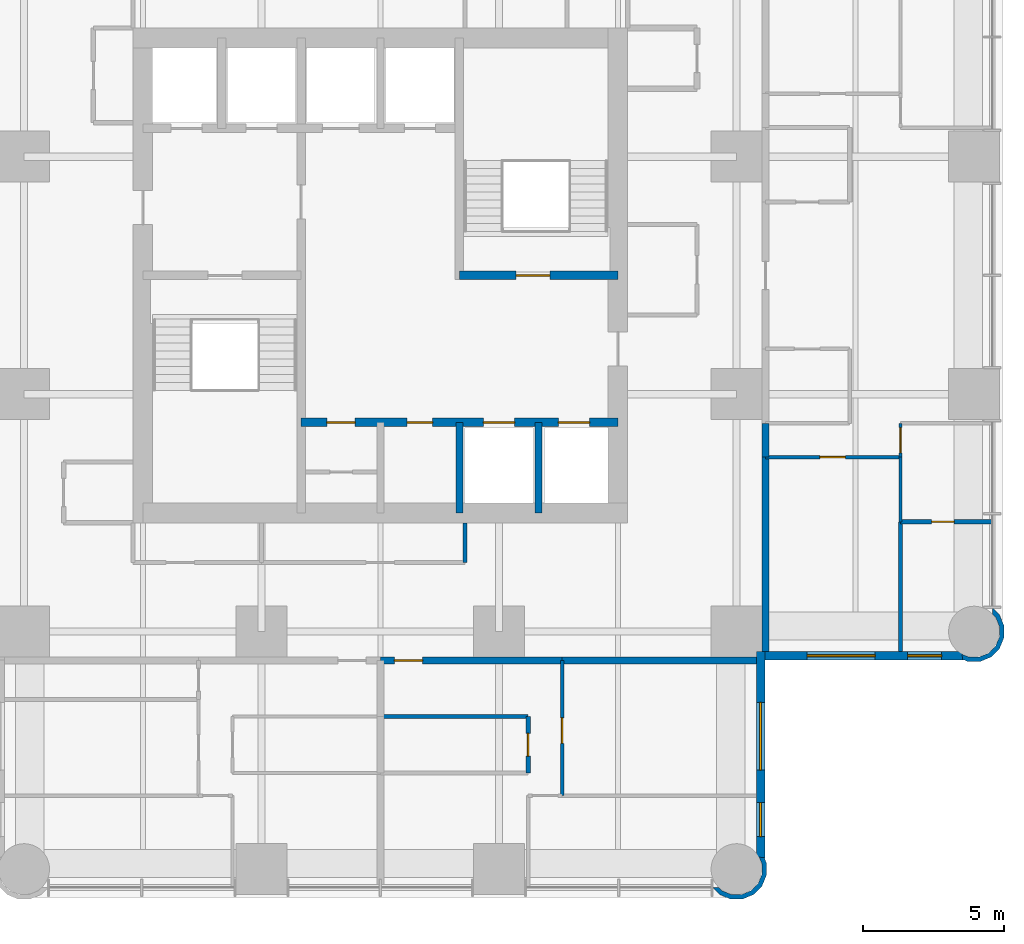
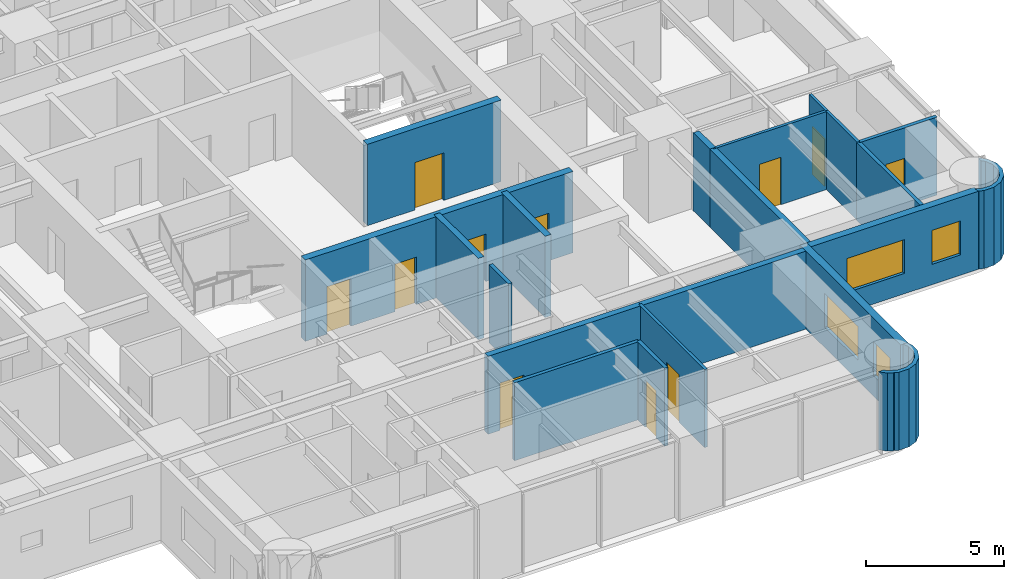
# One storey, part 7 of 11: 21 walls, 11 doors, 4 windows, 15 openings.
"""IFC4 building model written with IfcOpenShell, lengths in metres."""

from ifc_helpers import new_model, si_unit, direction, frame, frame_2d, origin, place, context, subcontext, project, spatial, polyline, rectangle, outline, extrude, material, layer, layer_set, type_object, element, fill, save


model = new_model("IFC4")

# Units and contexts
model_context = context("Model", 3, precision=1e-05, world=origin(), true_north=direction((0.0, 1.0)))
body_context = subcontext(model_context, "Body", "Model", "MODEL_VIEW")
ifc_project = project(units=[si_unit("LENGTHUNIT", "METRE"), si_unit("AREAUNIT", "SQUARE_METRE"), si_unit("VOLUMEUNIT", "CUBIC_METRE"), si_unit("PLANEANGLEUNIT", "RADIAN"), si_unit("MASSUNIT", "GRAM", prefix="KILO")], contexts=[model_context])

# Site, building, storey
site_placement = place(None, origin())
site = spatial("IfcSite", under=ifc_project, at=site_placement, CompositionType="ELEMENT")
building_placement = place(site_placement, origin())
building = spatial("IfcBuilding", under=site, at=building_placement, Name="Torre Alcanfor", CompositionType="ELEMENT")
storey_placement = place(building_placement, frame((0.0, 0.0, 186.89990234375)))
storey = spatial("IfcBuildingStorey", under=building, at=storey_placement, Name="L48", CompositionType="ELEMENT", Elevation=186.89990234375)

# Walls
ifc_material_1 = material(Name="Concrete block masonry, hollow blocks NMX-C-404 9 MPa", Category="masonry")
ifc_layer_1 = layer(ifc_material_1, 0.25)
ifc_layer_set_1 = layer_set([ifc_layer_1], Name="Apartment entrance wall 250 EI 60")
wall_type_1 = type_object("IfcWallType", Name="Apartment entrance wall 250 EI 60", PredefinedType="PARTITIONING", material=ifc_layer_set_1)
wall_1_placement = place(storey_placement, frame((43.02490234375, 24.1708984375, 0.0), z_axis=(0.0, 0.0, 1.0), x_axis=(0.0, -1.0, 0.0)))
element("IfcWall", 1, at=wall_1_placement, inside=storey, type_object=wall_type_1, Name="Partition L48-CORR / L48-EX-LIVING", PredefinedType="PARTITIONING", context=body_context, shape_type="SweptSolid", body=[
    extrude(rectangle(XDim=1.199951171875, YDim=0.25, at=frame_2d((0.60009765625, 0.0))), origin(), (0.0, 0.0, 1.0), 3.4501953125),
])
wall_2_placement = place(storey_placement, frame((43.02490234375, 22.970947265625, 0.0), z_axis=(0.0, 0.0, 1.0), x_axis=(0.0, -1.0, 0.0)))
element("IfcWall", 2, at=wall_2_placement, inside=storey, type_object=wall_type_1, Name="Partition L48-CORR / L48-EX-BED3", PredefinedType="PARTITIONING", context=body_context, shape_type="SweptSolid", body=[
    extrude(rectangle(XDim=6.870849609375, YDim=0.25, at=frame_2d((3.435546875, 0.0))), origin(), (0.0, 0.0, 1.0), 3.4501953125),
])

# Wall, opening, door
wall_3_placement = place(storey_placement, frame((35.8291015625, 15.77490234375, 0.0), z_axis=(0.0, 0.0, 1.0), x_axis=(-1.0, 0.0, 0.0)))
wall_3 = element("IfcWall", 3, at=wall_3_placement, inside=storey, type_object=wall_type_1, Name="Partition L48-CORR / L48-S1-LIVING", PredefinedType="PARTITIONING", context=body_context, shape_type="SweptSolid", body=[
    extrude(rectangle(XDim=6.42919921875, YDim=0.25, at=frame_2d((3.214599609375, 0.0))), origin(), (0.0, 0.0, 1.0), 3.4501953125),
])
opening_1_placement = place(wall_3_placement, frame((4.928955078125, 0.0, 0.0)))
opening_1 = element("IfcOpeningElement", 4, at=opening_1_placement, cuts=wall_3, Name="Opening D-A1", PredefinedType="OPENING", context=body_context, shape_type="SweptSolid", body=[
    extrude(rectangle(XDim=1.0, YDim=2.10009765625, at=frame_2d((0.5, 1.050048828125))), frame((0.0, 0.135009765625, 0.0), z_axis=(0.0, -1.0, 0.0), x_axis=(1.0, 0.0, 0.0)), (0.0, 0.0, 1.0), 0.27001953125),
])
ifc_material_2 = material(Name="Galvanised steel sheet ASTM A653", Category="steel")
door_type_1 = type_object("IfcDoorType", Name="Apartment entrance door FD60 1000x2100", OperationType="SINGLE_SWING_LEFT", PredefinedType="DOOR", material=ifc_material_2)
door_1_placement = place(opening_1_placement, origin())
door_1 = element("IfcDoor", 5, at=door_1_placement, inside=storey, type_object=door_type_1, Name="Apartment entrance L48-S1", OperationType="SINGLE_SWING_RIGHT", OverallHeight=2.10009765625, OverallWidth=1.0, PredefinedType="DOOR", context=body_context, shape_type="SweptSolid", body=[
    extrude(rectangle(XDim=1.0, YDim=2.10009765625, at=frame_2d((0.5, 1.050048828125))), frame((0.0, 0.02490234375, 0.0), z_axis=(0.0, -1.0, 0.0), x_axis=(1.0, 0.0, 0.0)), (0.0, 0.0, 1.0), 0.050048828125),
])
fill(opening_1, door_1)

# Wall
wall_4_placement = place(storey_placement, frame((42.699951171875, 15.77490234375, 0.0), z_axis=(0.0, 0.0, 1.0), x_axis=(-1.0, 0.0, 0.0)))
element("IfcWall", 6, at=wall_4_placement, inside=storey, type_object=wall_type_1, Name="Partition L48-CORR / L48-S1-BED2", PredefinedType="PARTITIONING", context=body_context, shape_type="SweptSolid", body=[
    extrude(rectangle(XDim=6.870849609375, YDim=0.25, at=frame_2d((3.435546875, 0.0))), origin(), (0.0, 0.0, 1.0), 3.4501953125),
])

# Wall, opening, door
ifc_material_3 = material(Name="Gypsum board on steel studs", Category="steel")
ifc_layer_2 = layer(ifc_material_3, 0.1201171875)
ifc_layer_set_2 = layer_set([ifc_layer_2], Name="Apartment partition 120")
wall_type_2 = type_object("IfcWallType", Name="Apartment partition 120", PredefinedType="PARTITIONING", material=ifc_layer_set_2)
wall_5_placement = place(storey_placement, frame((47.800048828125, 22.970947265625, 0.0), z_axis=(0.0, 0.0, 1.0), x_axis=(-1.0, 0.0, 0.0)))
wall_5 = element("IfcWall", 7, at=wall_5_placement, inside=storey, type_object=wall_type_2, Name="Partition L48-EX-LIVING / L48-EX-BED3", PredefinedType="PARTITIONING", context=body_context, shape_type="SweptSolid", body=[
    extrude(rectangle(XDim=4.775146484375, YDim=0.1201171875, at=frame_2d((2.3876953125, 0.0))), origin(), (0.0, 0.0, 1.0), 3.4501953125),
])
opening_2_placement = place(wall_5_placement, frame((1.949951171875, 0.0, 0.0)))
opening_2 = element("IfcOpeningElement", 8, at=opening_2_placement, cuts=wall_5, Name="Opening D-R1", PredefinedType="OPENING", context=body_context, shape_type="SweptSolid", body=[
    extrude(rectangle(XDim=0.89990234375, YDim=2.10009765625, at=frame_2d((0.449951171875, 1.050048828125))), frame((0.0, 0.070068359375, 0.0), z_axis=(0.0, -1.0, 0.0), x_axis=(1.0, 0.0, 0.0)), (0.0, 0.0, 1.0), 0.14013671875),
])
ifc_material_4 = material(Name="Timber", Category="wood")
door_type_2 = type_object("IfcDoorType", Name="Internal door 900x2100", OperationType="SINGLE_SWING_LEFT", PredefinedType="DOOR", material=ifc_material_4)
door_2_placement = place(opening_2_placement, origin())
door_2 = element("IfcDoor", 9, at=door_2_placement, inside=storey, type_object=door_type_2, Name="Door L48-EX bed3", OperationType="SINGLE_SWING_RIGHT", OverallHeight=2.10009765625, OverallWidth=0.89990234375, PredefinedType="DOOR", context=body_context, shape_type="SweptSolid", body=[
    extrude(rectangle(XDim=0.89990234375, YDim=2.10009765625, at=frame_2d((0.449951171875, 1.050048828125))), frame((0.0, 0.02490234375, 0.0), z_axis=(0.0, -1.0, 0.0), x_axis=(1.0, 0.0, 0.0)), (0.0, 0.0, 1.0), 0.050048828125),
])
fill(opening_2, door_2)

wall_6_placement = place(storey_placement, frame((47.800048828125, 24.1708984375, 0.0), z_axis=(0.0, 0.0, 1.0), x_axis=(0.0, -1.0, 0.0)))
wall_6 = element("IfcWall", 10, at=wall_6_placement, inside=storey, type_object=wall_type_2, Name="Partition L48-EX-LIVING / L48-EX-BED1", PredefinedType="PARTITIONING", context=body_context, shape_type="SweptSolid", body=[
    extrude(rectangle(XDim=1.199951171875, YDim=0.1201171875, at=frame_2d((0.60009765625, 0.0))), origin(), (0.0, 0.0, 1.0), 3.4501953125),
])
opening_3_placement = place(wall_6_placement, frame((0.15087890625, 0.0, 0.0)))
opening_3 = element("IfcOpeningElement", 11, at=opening_3_placement, cuts=wall_6, Name="Opening D-R1", PredefinedType="OPENING", context=body_context, shape_type="SweptSolid", body=[
    extrude(rectangle(XDim=0.89990234375, YDim=2.10009765625, at=frame_2d((0.449951171875, 1.050048828125))), frame((0.0, 0.070068359375, 0.0), z_axis=(0.0, -1.0, 0.0), x_axis=(1.0, 0.0, 0.0)), (0.0, 0.0, 1.0), 0.14013671875),
])
door_3_placement = place(opening_3_placement, origin())
door_3 = element("IfcDoor", 12, at=door_3_placement, inside=storey, type_object=door_type_2, Name="Door L48-EX bed1", OperationType="SINGLE_SWING_LEFT", OverallHeight=2.10009765625, OverallWidth=0.89990234375, PredefinedType="DOOR", context=body_context, shape_type="SweptSolid", body=[
    extrude(rectangle(XDim=0.89990234375, YDim=2.10009765625, at=frame_2d((0.449951171875, 1.050048828125))), frame((0.0, 0.02490234375, 0.0), z_axis=(0.0, -1.0, 0.0), x_axis=(1.0, 0.0, 0.0)), (0.0, 0.0, 1.0), 0.050048828125),
])
fill(opening_3, door_3)

# Wall
wall_7_placement = place(storey_placement, frame((47.800048828125, 20.68603515625, 0.0), z_axis=(0.0, 0.0, 1.0), x_axis=(0.0, 1.0, 0.0)))
element("IfcWall", 13, at=wall_7_placement, inside=storey, type_object=wall_type_2, Name="Partition L48-EX-BED3 / L48-EX-BED1", PredefinedType="PARTITIONING", context=body_context, shape_type="SweptSolid", body=[
    extrude(rectangle(XDim=2.284912109375, YDim=0.1201171875, at=frame_2d((1.142578125, 0.0))), origin(), (0.0, 0.0, 1.0), 3.4501953125),
])

# Wall, opening, door
wall_8_placement = place(storey_placement, frame((35.8291015625, 15.77490234375, 0.0), z_axis=(0.0, 0.0, 1.0), x_axis=(0.0, -1.0, 0.0)))
wall_8 = element("IfcWall", 14, at=wall_8_placement, inside=storey, type_object=wall_type_2, Name="Partition L48-S1-LIVING / L48-S1-BED2", PredefinedType="PARTITIONING", context=body_context, shape_type="SweptSolid", body=[
    extrude(rectangle(XDim=4.77490234375, YDim=0.1201171875, at=frame_2d((2.387451171875, 0.0))), origin(), (0.0, 0.0, 1.0), 3.4501953125),
])
opening_4_placement = place(wall_8_placement, frame((2.02490234375, 0.0, 0.0)))
opening_4 = element("IfcOpeningElement", 15, at=opening_4_placement, cuts=wall_8, Name="Opening D-R1", PredefinedType="OPENING", context=body_context, shape_type="SweptSolid", body=[
    extrude(rectangle(XDim=0.89990234375, YDim=2.10009765625, at=frame_2d((0.449951171875, 1.050048828125))), frame((0.0, 0.070068359375, 0.0), z_axis=(0.0, -1.0, 0.0), x_axis=(1.0, 0.0, 0.0)), (0.0, 0.0, 1.0), 0.14013671875),
])
door_4_placement = place(opening_4_placement, origin())
door_4 = element("IfcDoor", 16, at=door_4_placement, inside=storey, type_object=door_type_2, Name="Door L48-S1 bed2", OperationType="SINGLE_SWING_RIGHT", OverallHeight=2.10009765625, OverallWidth=0.89990234375, PredefinedType="DOOR", context=body_context, shape_type="SweptSolid", body=[
    extrude(rectangle(XDim=0.89990234375, YDim=2.10009765625, at=frame_2d((0.449951171875, 1.050048828125))), frame((0.0, 0.02490234375, 0.0), z_axis=(0.0, -1.0, 0.0), x_axis=(1.0, 0.0, 0.0)), (0.0, 0.0, 1.0), 0.050048828125),
])
fill(opening_4, door_4)

# Wall, openings, doors
ifc_material_5 = material(Name="Concrete f'c 70 MPa", Category="concrete")
ifc_layer_3 = layer(ifc_material_5, 0.300048828125)
ifc_layer_set_3 = layer_set([ifc_layer_3], Name="Core inner wall 300 f'c70")
wall_type_3 = type_object("IfcWallType", Name="Core inner wall 300 f'c70", PredefinedType="SHEAR", material=ifc_layer_set_3)
wall_9_placement = place(storey_placement, frame((26.60009765625, 24.199951171875, 0.0), z_axis=(0.0, 0.0, 1.0), x_axis=(1.0, 0.0, 0.0)))
wall_9 = element("IfcWall", 17, at=wall_9_placement, inside=storey, type_object=wall_type_3, Name="Core wall Y242 L48", PredefinedType="SHEAR", context=body_context, shape_type="SweptSolid", body=[
    extrude(rectangle(XDim=11.199951171875, YDim=0.300048828125, at=frame_2d((5.60009765625, 0.0))), origin(), (0.0, 0.0, 1.0), 3.60009765625),
])
opening_5_placement = place(wall_9_placement, frame((0.91259765625, 0.0, 0.0)))
opening_5 = element("IfcOpeningElement", 18, at=opening_5_placement, cuts=wall_9, Name="Opening D-K1", PredefinedType="OPENING", context=body_context, shape_type="SweptSolid", body=[
    extrude(rectangle(XDim=1.0, YDim=2.10009765625, at=frame_2d((0.5, 1.050048828125))), frame((0.0, 0.159912109375, 0.0), z_axis=(0.0, -1.0, 0.0), x_axis=(1.0, 0.0, 0.0)), (0.0, 0.0, 1.0), 0.320068359375),
])
opening_6_placement = place(wall_9_placement, frame((3.75, 0.0, 0.0)))
opening_6 = element("IfcOpeningElement", 19, at=opening_6_placement, cuts=wall_9, Name="Opening D-Q1", PredefinedType="OPENING", context=body_context, shape_type="SweptSolid", body=[
    extrude(rectangle(XDim=0.89990234375, YDim=2.10009765625, at=frame_2d((0.449951171875, 1.050048828125))), frame((0.0, 0.159912109375, 0.0), z_axis=(0.0, -1.0, 0.0), x_axis=(1.0, 0.0, 0.0)), (0.0, 0.0, 1.0), 0.320068359375),
])
opening_7_placement = place(wall_9_placement, frame((6.449951171875, 0.0, 0.0)))
opening_7 = element("IfcOpeningElement", 20, at=opening_7_placement, cuts=wall_9, Name="Opening LD1", PredefinedType="OPENING", context=body_context, shape_type="SweptSolid", body=[
    extrude(rectangle(XDim=1.10009765625, YDim=2.10009765625, at=frame_2d((0.550048828125, 1.050048828125))), frame((0.0, 0.159912109375, 0.0), z_axis=(0.0, -1.0, 0.0), x_axis=(1.0, 0.0, 0.0)), (0.0, 0.0, 1.0), 0.320068359375),
])
opening_8_placement = place(wall_9_placement, frame((9.10009765625, 0.0, 0.0)))
opening_8 = element("IfcOpeningElement", 21, at=opening_8_placement, cuts=wall_9, Name="Opening LD1", PredefinedType="OPENING", context=body_context, shape_type="SweptSolid", body=[
    extrude(rectangle(XDim=1.10009765625, YDim=2.10009765625, at=frame_2d((0.550048828125, 1.050048828125))), frame((0.0, 0.159912109375, 0.0), z_axis=(0.0, -1.0, 0.0), x_axis=(1.0, 0.0, 0.0)), (0.0, 0.0, 1.0), 0.320068359375),
])
ifc_material_6 = material(Name="Galvanised steel sheet ASTM A653", Category="steel")
door_type_3 = type_object("IfcDoorType", Name="Core room door FD60 1000x2100", OperationType="SINGLE_SWING_LEFT", PredefinedType="DOOR", material=ifc_material_6)
door_5_placement = place(opening_5_placement, frame((1.0, 0.0, 0.0), z_axis=(0.0, 0.0, 1.0), x_axis=(-1.0, 0.0, 0.0)))
door_5 = element("IfcDoor", 22, at=door_5_placement, inside=storey, type_object=door_type_3, Name="IT and comms room door L48", OperationType="SINGLE_SWING_RIGHT", OverallHeight=2.10009765625, OverallWidth=1.0, PredefinedType="DOOR", context=body_context, shape_type="SweptSolid", body=[
    extrude(rectangle(XDim=1.0, YDim=2.10009765625, at=frame_2d((0.5, 1.050048828125))), frame((0.0, 0.025146484375, 0.0), z_axis=(0.0, -1.0, 0.0), x_axis=(1.0, 0.0, 0.0)), (0.0, 0.0, 1.0), 0.050048828125),
])
fill(opening_5, door_5)
ifc_material_7 = material(Name="Galvanised steel sheet ASTM A653", Category="steel")
door_type_4 = type_object("IfcDoorType", Name="Lift landing door 1100x2100", OperationType="DOUBLE_DOOR_SLIDING", PredefinedType="DOOR", material=ifc_material_7)
door_6_placement = place(opening_7_placement, origin())
door_6 = element("IfcDoor", 23, at=door_6_placement, inside=storey, type_object=door_type_4, Name="Lift landing door PA3 L48", OperationType="DOUBLE_DOOR_SLIDING", OverallHeight=2.10009765625, OverallWidth=1.10009765625, PredefinedType="DOOR", context=body_context, shape_type="SweptSolid", body=[
    extrude(rectangle(XDim=1.10009765625, YDim=2.10009765625, at=frame_2d((0.550048828125, 1.050048828125))), frame((0.0, 0.02490234375, 0.0), z_axis=(0.0, -1.0, 0.0), x_axis=(1.0, 0.0, 0.0)), (0.0, 0.0, 1.0), 0.050048828125),
])
fill(opening_7, door_6)
door_7_placement = place(opening_8_placement, origin())
door_7 = element("IfcDoor", 24, at=door_7_placement, inside=storey, type_object=door_type_4, Name="Lift landing door PA4 L48", OperationType="DOUBLE_DOOR_SLIDING", OverallHeight=2.10009765625, OverallWidth=1.10009765625, PredefinedType="DOOR", context=body_context, shape_type="SweptSolid", body=[
    extrude(rectangle(XDim=1.10009765625, YDim=2.10009765625, at=frame_2d((0.550048828125, 1.050048828125))), frame((0.0, 0.02490234375, 0.0), z_axis=(0.0, -1.0, 0.0), x_axis=(1.0, 0.0, 0.0)), (0.0, 0.0, 1.0), 0.050048828125),
])
fill(opening_8, door_7)
ifc_material_8 = material(Name="Galvanised steel sheet ASTM A653", Category="steel")
door_type_5 = type_object("IfcDoorType", Name="Riser access door FD120 900x2100", OperationType="SINGLE_SWING_LEFT", PredefinedType="DOOR", material=ifc_material_8)
door_8_placement = place(opening_6_placement, frame((0.89990234375, 0.0, 0.0), z_axis=(0.0, 0.0, 1.0), x_axis=(-1.0, 0.0, 0.0)))
door_8 = element("IfcDoor", 25, at=door_8_placement, inside=storey, type_object=door_type_5, Name="Riser door L48", OperationType="SINGLE_SWING_RIGHT", OverallHeight=2.10009765625, OverallWidth=0.89990234375, PredefinedType="DOOR", context=body_context, shape_type="SweptSolid", body=[
    extrude(rectangle(XDim=0.89990234375, YDim=2.10009765625, at=frame_2d((0.449951171875, 1.050048828125))), frame((0.0, 0.025146484375, 0.0), z_axis=(0.0, -1.0, 0.0), x_axis=(1.0, 0.0, 0.0)), (0.0, 0.0, 1.0), 0.050048828125),
])
fill(opening_6, door_8)

# Wall, opening, door
wall_10_placement = place(storey_placement, frame((32.199951171875, 29.39990234375, 0.0), z_axis=(0.0, 0.0, 1.0), x_axis=(1.0, 0.0, 0.0)))
wall_10 = element("IfcWall", 26, at=wall_10_placement, inside=storey, type_object=wall_type_3, Name="Core wall Y294E L48", PredefinedType="SHEAR", context=body_context, shape_type="SweptSolid", body=[
    extrude(rectangle(XDim=5.60009765625, YDim=0.300048828125, at=frame_2d((2.800048828125, 0.0))), origin(), (0.0, 0.0, 1.0), 3.60009765625),
])
opening_9_placement = place(wall_10_placement, frame((2.0, 0.0, 0.0)))
opening_9 = element("IfcOpeningElement", 27, at=opening_9_placement, cuts=wall_10, Name="Opening D-S2", PredefinedType="OPENING", context=body_context, shape_type="SweptSolid", body=[
    extrude(rectangle(XDim=1.199951171875, YDim=2.10009765625, at=frame_2d((0.60009765625, 1.050048828125))), frame((0.0, 0.159912109375, 0.0), z_axis=(0.0, -1.0, 0.0), x_axis=(1.0, 0.0, 0.0)), (0.0, 0.0, 1.0), 0.320068359375),
])
ifc_material_9 = material(Name="Galvanised steel sheet ASTM A653", Category="steel")
door_type_6 = type_object("IfcDoorType", Name="Stair enclosure door FD120 1200x2100", OperationType="SINGLE_SWING_LEFT", PredefinedType="DOOR", material=ifc_material_9)
door_9_placement = place(opening_9_placement, origin())
door_9 = element("IfcDoor", 28, at=door_9_placement, inside=storey, type_object=door_type_6, Name="Stair S2 door L48", OperationType="SINGLE_SWING_LEFT", OverallHeight=2.10009765625, OverallWidth=1.199951171875, PredefinedType="DOOR", context=body_context, shape_type="SweptSolid", body=[
    extrude(rectangle(XDim=1.199951171875, YDim=2.10009765625, at=frame_2d((0.60009765625, 1.050048828125))), frame((0.0, 0.02490234375, 0.0), z_axis=(0.0, -1.0, 0.0), x_axis=(1.0, 0.0, 0.0)), (0.0, 0.0, 1.0), 0.050048828125),
])
fill(opening_9, door_9)

# Walls
ifc_material_10 = material(Name="Concrete f'c 70 MPa", Category="concrete")
ifc_layer_4 = layer(ifc_material_10, 0.25)
ifc_layer_set_4 = layer_set([ifc_layer_4], Name="Core shaft wall 250 f'c70")
wall_type_4 = type_object("IfcWallType", Name="Core shaft wall 250 f'c70", PredefinedType="SHEAR", material=ifc_layer_set_4)
for number, where, z_axis, x_axis, name in (
    (29, (32.199951171875, 21.0, 0.0), (0.0, 0.0, 1.0), (0.0, 1.0, 0.0), "Core wall X322S L48"),
    (30, (35.0, 21.0, 0.0), (0.0, 0.0, 1.0), (0.0, 1.0, 0.0), "Core wall X350S L48"),
):
    element("IfcWall", number, at=place(storey_placement, frame(where, z_axis=z_axis, x_axis=x_axis)), inside=storey, type_object=wall_type_4, Name=name, PredefinedType="SHEAR", context=body_context, shape_type="SweptSolid", body=[
        extrude(rectangle(XDim=3.199951171875, YDim=0.25, at=frame_2d((1.60009765625, 0.0))), origin(), (0.0, 0.0, 1.0), 3.60009765625),
    ])

# Wall, openings, windows
ifc_material_11 = material(Name="Limestone cladding", Category="masonry")
ifc_layer_5 = layer(ifc_material_11, 0.0400390625, Name="Facing")
ifc_material_12 = material(Name="Ventilated air cavity")
ifc_layer_6 = layer(ifc_material_12, 0.02001953125, ventilated=True, Name="Ventilated joint")
ifc_material_13 = material(Name="Mineral wool insulation", Category="insulation")
ifc_layer_7 = layer(ifc_material_13, 0.10009765625, Name="Insulation")
ifc_material_14 = material(Name="Concrete f'c 35 MPa", Category="concrete")
ifc_layer_8 = layer(ifc_material_14, 0.139892578125, Name="Backing")
ifc_layer_set_5 = layer_set([ifc_layer_5, ifc_layer_6, ifc_layer_7, ifc_layer_8], Name="External wall stone-clad 300")
wall_type_5 = type_object("IfcWallType", Name="External wall stone-clad 300", PredefinedType="SOLIDWALL", material=ifc_layer_set_5)
wall_11_placement = place(storey_placement, frame((42.85009765625, 8.800048828125, 0.0), z_axis=(0.0, 0.0, 1.0), x_axis=(0.0, 1.0, 0.0)))
wall_11 = element("IfcWall", 31, at=wall_11_placement, inside=storey, type_object=wall_type_5, Name="External wall L48 6", PredefinedType="SOLIDWALL", context=body_context, shape_type="SweptSolid", body=[
    extrude(rectangle(XDim=7.300048828125, YDim=0.300048828125, at=frame_2d((3.64990234375, 0.0))), origin(), (0.0, 0.0, 1.0), 3.4501953125),
])
opening_10_placement = place(wall_11_placement, frame((3.10009765625, 0.0, 0.89990234375)))
opening_10 = element("IfcOpeningElement", 32, at=opening_10_placement, cuts=wall_11, Name="Opening W1", PredefinedType="OPENING", context=body_context, shape_type="SweptSolid", body=[
    extrude(rectangle(XDim=2.39990234375, YDim=1.5, at=frame_2d((1.199951171875, 0.75))), frame((0.0, 0.159912109375, 0.0), z_axis=(0.0, -1.0, 0.0), x_axis=(1.0, 0.0, 0.0)), (0.0, 0.0, 1.0), 0.320068359375),
])
opening_11_placement = place(wall_11_placement, frame((0.75, 0.0, 0.89990234375)))
opening_11 = element("IfcOpeningElement", 33, at=opening_11_placement, cuts=wall_11, Name="Opening W4", PredefinedType="OPENING", context=body_context, shape_type="SweptSolid", body=[
    extrude(rectangle(XDim=1.199951171875, YDim=1.5, at=frame_2d((0.60009765625, 0.75))), frame((0.0, 0.159912109375, 0.0), z_axis=(0.0, -1.0, 0.0), x_axis=(1.0, 0.0, 0.0)), (0.0, 0.0, 1.0), 0.320068359375),
])
ifc_material_15 = material(Name="Aluminium frame with clear double glazing", Category="aluminium")
window_type_1 = type_object("IfcWindowType", Name="Window bedroom 1200x1500", PartitioningType="SINGLE_PANEL", PredefinedType="WINDOW", material=ifc_material_15)
window_1_placement = place(opening_11_placement, origin())
window_1 = element("IfcWindow", 34, at=window_1_placement, inside=storey, type_object=window_type_1, Name="Window W4 L48-S1", OverallHeight=1.5, OverallWidth=1.199951171875, PartitioningType="SINGLE_PANEL", PredefinedType="WINDOW", context=body_context, shape_type="SweptSolid", body=[
    extrude(rectangle(XDim=1.199951171875, YDim=1.5, at=frame_2d((0.60009765625, 0.75))), frame((0.0, 0.030029296875, 0.0), z_axis=(0.0, -1.0, 0.0), x_axis=(1.0, 0.0, 0.0)), (0.0, 0.0, 1.0), 0.06005859375),
])
fill(opening_11, window_1)
ifc_material_16 = material(Name="Aluminium frame with clear double glazing", Category="aluminium")
window_type_2 = type_object("IfcWindowType", Name="Window bedroom 2400x1500", PartitioningType="SINGLE_PANEL", PredefinedType="WINDOW", material=ifc_material_16)
window_2_placement = place(opening_10_placement, origin())
window_2 = element("IfcWindow", 35, at=window_2_placement, inside=storey, type_object=window_type_2, Name="Window W1 L48-S1", OverallHeight=1.5, OverallWidth=2.39990234375, PartitioningType="SINGLE_PANEL", PredefinedType="WINDOW", context=body_context, shape_type="SweptSolid", body=[
    extrude(rectangle(XDim=2.39990234375, YDim=1.5, at=frame_2d((1.199951171875, 0.75))), frame((0.0, 0.030029296875, 0.0), z_axis=(0.0, -1.0, 0.0), x_axis=(1.0, 0.0, 0.0)), (0.0, 0.0, 1.0), 0.06005859375),
])
fill(opening_10, window_2)

wall_12_placement = place(storey_placement, frame((43.0, 15.949951171875, 0.0), z_axis=(0.0, 0.0, 1.0), x_axis=(1.0, 0.0, 0.0)))
wall_12 = element("IfcWall", 36, at=wall_12_placement, inside=storey, type_object=wall_type_5, Name="External wall L48 7", PredefinedType="SOLIDWALL", context=body_context, shape_type="SweptSolid", body=[
    extrude(rectangle(XDim=7.0, YDim=0.300048828125, at=frame_2d((3.5, 0.0))), origin(), (0.0, 0.0, 1.0), 3.4501953125),
])
opening_12_placement = place(wall_12_placement, frame((1.5, 0.0, 0.89990234375)))
opening_12 = element("IfcOpeningElement", 37, at=opening_12_placement, cuts=wall_12, Name="Opening W1", PredefinedType="OPENING", context=body_context, shape_type="SweptSolid", body=[
    extrude(rectangle(XDim=2.39990234375, YDim=1.5, at=frame_2d((1.199951171875, 0.75))), frame((0.0, 0.159912109375, 0.0), z_axis=(0.0, -1.0, 0.0), x_axis=(1.0, 0.0, 0.0)), (0.0, 0.0, 1.0), 0.320068359375),
])
opening_13_placement = place(wall_12_placement, frame((5.050048828125, 0.0, 0.89990234375)))
opening_13 = element("IfcOpeningElement", 38, at=opening_13_placement, cuts=wall_12, Name="Opening W4", PredefinedType="OPENING", context=body_context, shape_type="SweptSolid", body=[
    extrude(rectangle(XDim=1.199951171875, YDim=1.5, at=frame_2d((0.60009765625, 0.75))), frame((0.0, 0.159912109375, 0.0), z_axis=(0.0, -1.0, 0.0), x_axis=(1.0, 0.0, 0.0)), (0.0, 0.0, 1.0), 0.320068359375),
])
window_3_placement = place(opening_13_placement, origin())
window_3 = element("IfcWindow", 39, at=window_3_placement, inside=storey, type_object=window_type_1, Name="Window W4 L48-E2", OverallHeight=1.5, OverallWidth=1.199951171875, PartitioningType="SINGLE_PANEL", PredefinedType="WINDOW", context=body_context, shape_type="SweptSolid", body=[
    extrude(rectangle(XDim=1.199951171875, YDim=1.5, at=frame_2d((0.60009765625, 0.75))), frame((0.0, 0.030029296875, 0.0), z_axis=(0.0, -1.0, 0.0), x_axis=(1.0, 0.0, 0.0)), (0.0, 0.0, 1.0), 0.06005859375),
])
fill(opening_13, window_3)
window_4_placement = place(opening_12_placement, origin())
window_4 = element("IfcWindow", 40, at=window_4_placement, inside=storey, type_object=window_type_2, Name="Window W1 L48-E2", OverallHeight=1.5, OverallWidth=2.39990234375, PartitioningType="SINGLE_PANEL", PredefinedType="WINDOW", context=body_context, shape_type="SweptSolid", body=[
    extrude(rectangle(XDim=2.39990234375, YDim=1.5, at=frame_2d((1.199951171875, 0.75))), frame((0.0, 0.030029296875, 0.0), z_axis=(0.0, -1.0, 0.0), x_axis=(1.0, 0.0, 0.0)), (0.0, 0.0, 1.0), 0.06005859375),
])
fill(opening_12, window_4)

# Walls
ifc_material_17 = material(Name="Concrete block masonry, hollow blocks NMX-C-404 9 MPa", Category="masonry")
ifc_layer_9 = layer(ifc_material_17, 0.14990234375)
ifc_layer_set_6 = layer_set([ifc_layer_9], Name="Residents' room partition 150")
wall_type_6 = type_object("IfcWallType", Name="Residents' room partition 150", PredefinedType="PARTITIONING", material=ifc_layer_set_6)
wall_13_placement = place(storey_placement, frame((32.39990234375, 19.25, 0.0), z_axis=(0.0, 0.0, 1.0), x_axis=(0.0, 1.0, 0.0)))
element("IfcWall", 41, at=wall_13_placement, inside=storey, type_object=wall_type_6, Name="Partition L48-CORR / L48-G06", PredefinedType="PARTITIONING", context=body_context, shape_type="SweptSolid", body=[
    extrude(rectangle(XDim=1.39990234375, YDim=0.14990234375, at=frame_2d((0.699951171875, 0.0))), origin(), (0.0, 0.0, 1.0), 3.4501953125),
])
ifc_layer_10 = layer(ifc_material_11, 0.0400390625, Name="Facing")
ifc_layer_11 = layer(ifc_material_12, 0.02001953125, ventilated=True, Name="Ventilated joint")
ifc_layer_12 = layer(ifc_material_13, 0.10009765625, Name="Insulation")
ifc_layer_13 = layer(ifc_material_14, 0.139892578125, Name="Backing")
ifc_layer_set_7 = layer_set([ifc_layer_10, ifc_layer_11, ifc_layer_12, ifc_layer_13], Name="Rounded corner pier stone-clad 300")
wall_type_7 = type_object("IfcWallType", Name="Rounded corner pier stone-clad 300", PredefinedType="SOLIDWALL", material=ifc_layer_set_7)
wall_14_placement = place(storey_placement, frame((41.23340608, 7.789480744, 0.0), z_axis=(0.0, 0.0, 1.0), x_axis=(0.377204953059, -0.926129809145, 0.0)))
element("IfcWall", 42, at=wall_14_placement, inside=storey, type_object=wall_type_7, Name="Corner pier L48 16", PredefinedType="SOLIDWALL", context=body_context, shape_type="SweptSolid", body=[
    extrude(outline(polyline([(0.3188221367360325, 1.8424968160812525), (-0.07166277058672699, 2.0015380646001097), (-0.24000427352452447, 2.0005081050015594), (-0.269549250210802, 2.0172865767024346), (-0.3699438072570761, 1.8406950343160768), (-0.10231236878147876, 1.842145174106832), (0.22961110773838866, 1.7069555083131536), (0.4845476415603822, 1.4552346247001606), (0.6236550635861208, 1.1249461766610187), (0.6257590263396249, 0.7663652844174852), (0.49056936054594646, 0.43444180789761777), (0.23853027996952475, 0.17937125921818126), (0.09025049501168259, 0.1169203356497861), (0.010960098384736335, -0.07775685323550395), (0.024526453010888946, -0.08328231641508209), (0.32945123502871626, 0.0453300229256597), (0.48001657385947577, 0.19753321657308245), (0.4991180482772686, 0.19265309734843963), (0.5076646161494596, 0.22528724603202818), (0.6258845624036093, 0.3453228699529668), (0.7848337198694737, 0.7355816713652905), (0.7823550336481375, 1.1573188904493026), (0.6188149837633398, 1.5460634887063593), (0.3188221367360325, 1.8424968160812525)])), origin(), (0.0, 0.0, 1.0), 3.4501953125),
])
wall_15_placement = place(storey_placement, frame((50.036037137, 15.890092843, 0.0), z_axis=(0.0, 0.0, 1.0), x_axis=(0.926129809145, -0.377204953059, 0.0)))
element("IfcWall", 43, at=wall_15_placement, inside=storey, type_object=wall_type_7, Name="Corner pier L48 17", PredefinedType="SOLIDWALL", context=body_context, shape_type="SweptSolid", body=[
    extrude(outline(polyline([(0.7690311741698652, 1.7275555554196642), (0.7501558056625081, 1.7227675272480143), (0.5995904668317485, 1.8749707208954371), (0.2946656848139213, 2.0035830602361786), (0.28109933018776867, 1.9980575970566008), (0.36038972681471493, 1.8033804081713107), (0.5087616028255502, 1.7407033786924795), (0.7607085923489787, 1.485858935923479), (0.8958982581426571, 1.1539354594036118), (0.8937942953891532, 0.7953545671600781), (0.7546868733634147, 0.46506611912093604), (0.4996163246839782, 0.21302703854451438), (0.16769284816411076, 0.07783737275083602), (-0.10003068136447954, 0.07951361845202683), (0.0005899815922304069, -0.09698583288133807), (0.030134958278507984, -0.08020736118046257), (0.19847646121630538, -0.08123732077901287), (0.5889613685390649, 0.07780392773984446), (0.8889542155663721, 0.37423725511473754), (1.0524942654511698, 0.7629818533717942), (1.055065042725499, 1.1844929665453705), (0.8960237942066418, 1.57497787386813), (0.7775777420420562, 1.6949214067360756), (0.7690311741698652, 1.7275555554196642)])), origin(), (0.0, 0.0, 1.0), 3.4501953125),
])
ifc_material_18 = material(Name="Cement board on steel studs", Category="steel")
ifc_layer_14 = layer(ifc_material_18, 0.14990234375)
ifc_layer_set_8 = layer_set([ifc_layer_14], Name="Wet area partition 150")
wall_type_8 = type_object("IfcWallType", Name="Wet area partition 150", PredefinedType="PARTITIONING", material=ifc_layer_set_8)
wall_16_placement = place(storey_placement, frame((47.800048828125, 16.10009765625, 0.0), z_axis=(0.0, 0.0, 1.0), x_axis=(0.0, 1.0, 0.0)))
element("IfcWall", 44, at=wall_16_placement, inside=storey, type_object=wall_type_8, Name="Partition L48-EX-BED3 / L48-EX-BATH1", PredefinedType="PARTITIONING", context=body_context, shape_type="SweptSolid", body=[
    extrude(rectangle(XDim=4.5859375, YDim=0.14990234375, at=frame_2d((2.29296875, 0.0))), origin(), (0.0, 0.0, 1.0), 3.4501953125),
])

# Wall, opening, door
wall_17_placement = place(storey_placement, frame((51.050048828125, 20.68603515625, 0.0), z_axis=(0.0, 0.0, 1.0), x_axis=(-1.0, 0.0, 0.0)))
wall_17 = element("IfcWall", 45, at=wall_17_placement, inside=storey, type_object=wall_type_8, Name="Partition L48-EX-BATH1 / L48-EX-BED1", PredefinedType="PARTITIONING", context=body_context, shape_type="SweptSolid", body=[
    extrude(rectangle(XDim=3.25, YDim=0.14990234375, at=frame_2d((1.625, 0.0))), origin(), (0.0, 0.0, 1.0), 3.4501953125),
])
opening_14_placement = place(wall_17_placement, frame((1.35009765625, 0.0, 0.0)))
opening_14 = element("IfcOpeningElement", 46, at=opening_14_placement, cuts=wall_17, Name="Opening D-R2", PredefinedType="OPENING", context=body_context, shape_type="SweptSolid", body=[
    extrude(rectangle(XDim=0.800048828125, YDim=2.10009765625, at=frame_2d((0.39990234375, 1.050048828125))), frame((0.0, 0.0849609375, 0.0), z_axis=(0.0, -1.0, 0.0), x_axis=(1.0, 0.0, 0.0)), (0.0, 0.0, 1.0), 0.169921875),
])
ifc_material_19 = material(Name="Timber", Category="wood")
door_type_7 = type_object("IfcDoorType", Name="Bathroom door 800x2100", OperationType="SINGLE_SWING_LEFT", PredefinedType="DOOR", material=ifc_material_19)
door_10_placement = place(opening_14_placement, frame((0.800048828125, 0.0, 0.0), z_axis=(0.0, 0.0, 1.0), x_axis=(-1.0, 0.0, 0.0)))
door_10 = element("IfcDoor", 47, at=door_10_placement, inside=storey, type_object=door_type_7, Name="Door L48-EX bath1", OperationType="SINGLE_SWING_LEFT", OverallHeight=2.10009765625, OverallWidth=0.800048828125, PredefinedType="DOOR", context=body_context, shape_type="SweptSolid", body=[
    extrude(rectangle(XDim=0.800048828125, YDim=2.10009765625, at=frame_2d((0.400146484375, 1.050048828125))), frame((0.0, 0.025146484375, 0.0), z_axis=(0.0, -1.0, 0.0), x_axis=(1.0, 0.0, 0.0)), (0.0, 0.0, 1.0), 0.050048828125),
])
fill(opening_14, door_10)

wall_18_placement = place(storey_placement, frame((34.62890625, 11.800048828125, 0.0), z_axis=(0.0, 0.0, 1.0), x_axis=(0.0, 1.0, 0.0)))
wall_18 = element("IfcWall", 48, at=wall_18_placement, inside=storey, type_object=wall_type_8, Name="Partition L48-S1-BATH / L48-S1-LIVING", PredefinedType="PARTITIONING", context=body_context, shape_type="SweptSolid", body=[
    extrude(rectangle(XDim=2.0, YDim=0.14990234375, at=frame_2d((1.0, 0.0))), origin(), (0.0, 0.0, 1.0), 3.4501953125),
])
opening_15_placement = place(wall_18_placement, frame((0.60009765625, 0.0, 0.0)))
opening_15 = element("IfcOpeningElement", 49, at=opening_15_placement, cuts=wall_18, Name="Opening D-R2", PredefinedType="OPENING", context=body_context, shape_type="SweptSolid", body=[
    extrude(rectangle(XDim=0.800048828125, YDim=2.10009765625, at=frame_2d((0.39990234375, 1.050048828125))), frame((0.0, 0.0849609375, 0.0), z_axis=(0.0, -1.0, 0.0), x_axis=(1.0, 0.0, 0.0)), (0.0, 0.0, 1.0), 0.169921875),
])
door_11_placement = place(opening_15_placement, origin())
door_11 = element("IfcDoor", 50, at=door_11_placement, inside=storey, type_object=door_type_7, Name="Door L48-S1 bath", OperationType="SINGLE_SWING_LEFT", OverallHeight=2.10009765625, OverallWidth=0.800048828125, PredefinedType="DOOR", context=body_context, shape_type="SweptSolid", body=[
    extrude(rectangle(XDim=0.800048828125, YDim=2.10009765625, at=frame_2d((0.39990234375, 1.050048828125))), frame((0.0, 0.02490234375, 0.0), z_axis=(0.0, -1.0, 0.0), x_axis=(1.0, 0.0, 0.0)), (0.0, 0.0, 1.0), 0.050048828125),
])
fill(opening_15, door_11)

# Wall
wall_19_placement = place(storey_placement, frame((34.62890625, 13.800048828125, 0.0), z_axis=(0.0, 0.0, 1.0), x_axis=(-1.0, 0.0, 0.0)))
element("IfcWall", 51, at=wall_19_placement, inside=storey, type_object=wall_type_8, Name="Partition L48-S1-BATH / L48-S1-LIVING", PredefinedType="PARTITIONING", context=body_context, shape_type="SweptSolid", body=[
    extrude(rectangle(XDim=5.22900390625, YDim=0.14990234375, at=frame_2d((2.614501953125, 0.0))), origin(), (0.0, 0.0, 1.0), 3.4501953125),
])

save(model, "model.ifc")
